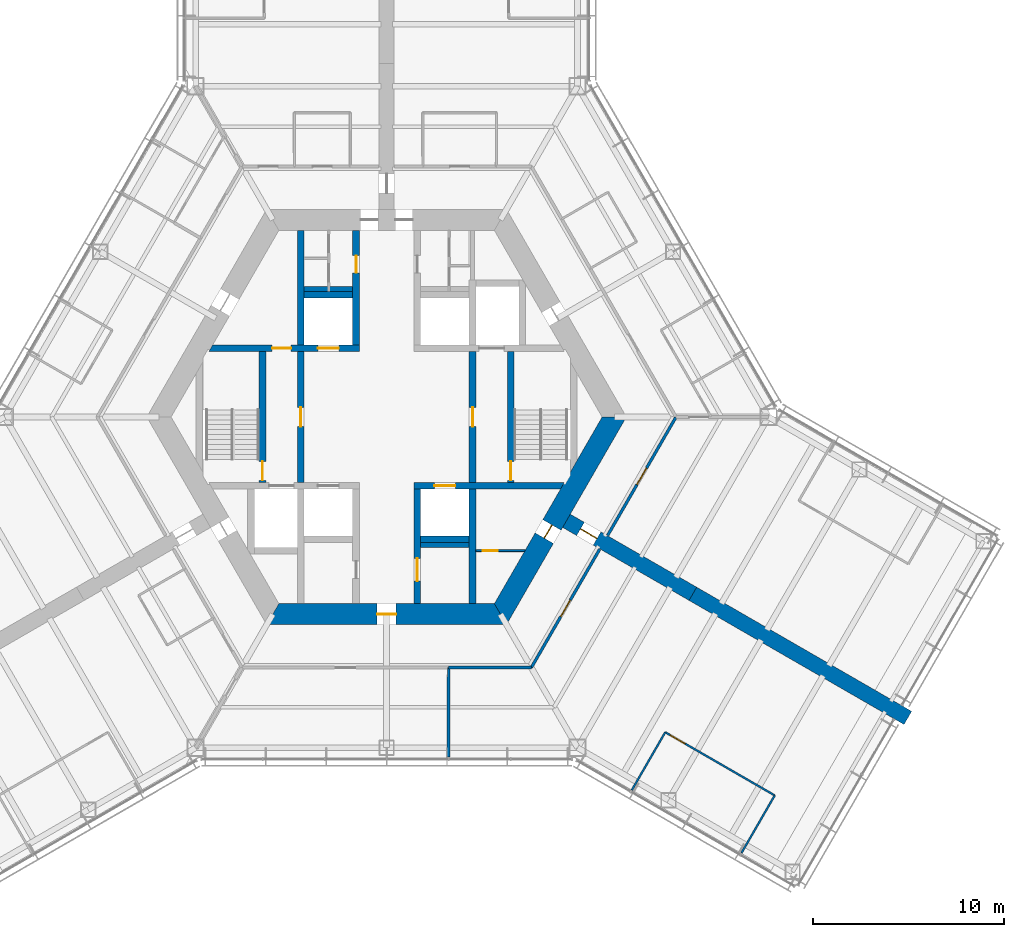
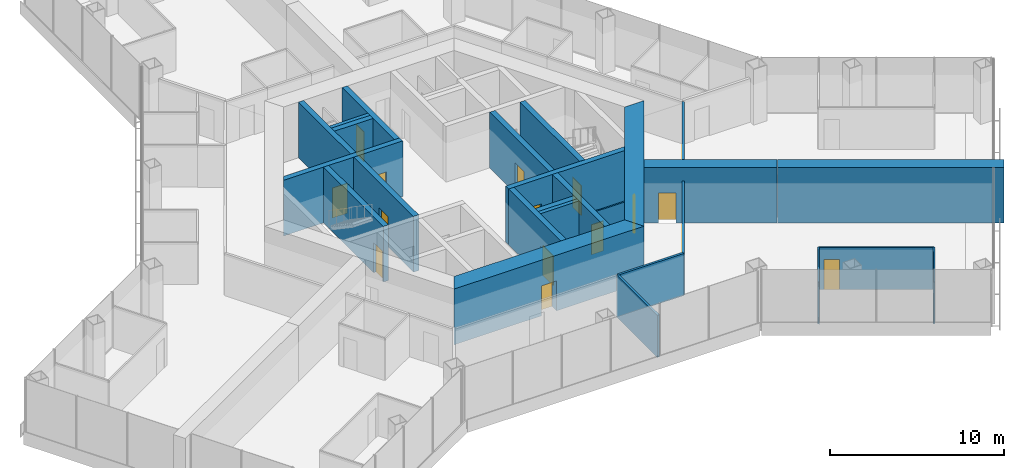
# One storey, part 13 of 18: 26 walls, 16 doors, 16 openings.
"""IFC4 building model written with IfcOpenShell, lengths in metres."""

from ifc_helpers import new_model, si_unit, direction, frame, frame_2d, origin, place, context, subcontext, project, spatial, polyline, rectangle, outline, extrude, material, layer, layer_set, type_object, element, fill, save


model = new_model("IFC4")

# Units and contexts
model_context = context("Model", 3, precision=1e-05, world=origin(), true_north=direction((0.0, 1.0)))
body_context = subcontext(model_context, "Body", "Model", "MODEL_VIEW")
ifc_project = project(units=[si_unit("LENGTHUNIT", "METRE"), si_unit("AREAUNIT", "SQUARE_METRE"), si_unit("VOLUMEUNIT", "CUBIC_METRE"), si_unit("PLANEANGLEUNIT", "RADIAN"), si_unit("MASSUNIT", "GRAM", prefix="KILO")], contexts=[model_context])

# Site, building, storey
site_placement = place(None, origin())
site = spatial("IfcSite", under=ifc_project, at=site_placement, CompositionType="ELEMENT")
building_placement = place(site_placement, origin())
building = spatial("IfcBuilding", under=site, at=building_placement, Name="Kasaneha Research Tower", CompositionType="ELEMENT")
storey_placement = place(building_placement, frame((0.0, 0.0, 61.199951171875)))
storey = spatial("IfcBuildingStorey", under=building, at=storey_placement, Name="L15", CompositionType="ELEMENT", Elevation=61.199951171875)

# Wall, openings, doors
ifc_material_1 = material(Name="Concrete Fc80", Category="concrete")
ifc_layer_1 = layer(ifc_material_1, 0.35009765625)
ifc_layer_set_1 = layer_set([ifc_layer_1], Name="Core internal wall 350 Fc80")
wall_type_1 = type_object("IfcWallType", Name="Core internal wall 350 Fc80", PredefinedType="SHEAR", material=ifc_layer_set_1)
wall_1_placement = place(storey_placement, frame((-9.208740234375, 3.60009765625, 0.0), z_axis=(0.0, 0.0, 1.0), x_axis=(1.0, 0.0, 0.0)))
wall_1 = element("IfcWall", 1, at=wall_1_placement, inside=storey, type_object=wall_type_1, Name="Core wall W1W L15", PredefinedType="SHEAR", context=body_context, shape_type="SweptSolid", body=[
    extrude(outline(polyline([(-0.10107421875, -0.175048828125), (3.208740234375, -0.175048828125), (4.208740234375, -0.175048828125), (5.608642578125, -0.175048828125), (6.708740234375, -0.175048828125), (7.78369140625, -0.175048828125), (7.78369140625, 0.175048828125), (6.708740234375, 0.175048828125), (5.608642578125, 0.175048828125), (4.208740234375, 0.175048828125), (3.208740234375, 0.175048828125), (0.10107421875, 0.175048828125), (-0.10107421875, -0.175048828125)])), origin(), (0.0, 0.0, 1.0), 3.900146484375),
])
opening_1_placement = place(wall_1_placement, frame((3.208740234375, 0.0, 0.0)))
opening_1 = element("IfcOpeningElement", 2, at=opening_1_placement, cuts=wall_1, Name="Opening L15-D12", PredefinedType="OPENING", context=body_context, shape_type="SweptSolid", body=[
    extrude(rectangle(XDim=1.0, YDim=2.10009765625, at=frame_2d((0.5, 1.050048828125))), frame((0.0, 0.18505859375, 0.0), z_axis=(0.0, -1.0, 0.0), x_axis=(1.0, 0.0, 0.0)), (0.0, 0.0, 1.0), 0.3701171875),
])
opening_2_placement = place(wall_1_placement, frame((5.608642578125, 0.0, 0.0)))
opening_2 = element("IfcOpeningElement", 3, at=opening_2_placement, cuts=wall_1, Name="Opening LD-LO1-L15", PredefinedType="OPENING", context=body_context, shape_type="SweptSolid", body=[
    extrude(rectangle(XDim=1.10009765625, YDim=2.10009765625, at=frame_2d((0.550048828125, 1.050048828125))), frame((0.0, 0.18505859375, 0.0), z_axis=(0.0, -1.0, 0.0), x_axis=(1.0, 0.0, 0.0)), (0.0, 0.0, 1.0), 0.3701171875),
])
ifc_material_2 = material(Name="Steel", Category="steel")
door_type_1 = type_object("IfcDoorType", Name="Lift landing door 1100x2100", OperationType="DOUBLE_DOOR_SLIDING", PredefinedType="DOOR", material=ifc_material_2)
door_1_placement = place(opening_2_placement, origin())
door_1 = element("IfcDoor", 4, at=door_1_placement, inside=storey, type_object=door_type_1, Name="Landing door LO1 LD-LO1-L15", OperationType="DOUBLE_DOOR_SLIDING", OverallHeight=2.10009765625, OverallWidth=1.10009765625, PredefinedType="DOOR", context=body_context, shape_type="SweptSolid", body=[
    extrude(rectangle(XDim=1.10009765625, YDim=2.10009765625, at=frame_2d((0.550048828125, 1.050048828125))), frame((0.0, 0.02490234375, 0.0), z_axis=(0.0, -1.0, 0.0), x_axis=(1.0, 0.0, 0.0)), (0.0, 0.0, 1.0), 0.050048828125),
])
fill(opening_2, door_1)
ifc_material_3 = material(Name="Steel", Category="steel")
door_type_2 = type_object("IfcDoorType", Name="Specified fire door FD60 1000x2100", OperationType="NOTDEFINED", PredefinedType="DOOR", material=ifc_material_3)
door_2_placement = place(opening_1_placement, origin())
door_2 = element("IfcDoor", 5, at=door_2_placement, inside=storey, type_object=door_type_2, Name="Vestibule to lobby door L15-D12", OperationType="SINGLE_SWING_RIGHT", OverallHeight=2.10009765625, OverallWidth=1.0, PredefinedType="DOOR", context=body_context, shape_type="SweptSolid", body=[
    extrude(rectangle(XDim=1.0, YDim=2.10009765625, at=frame_2d((0.5, 1.050048828125))), frame((0.0, 0.02490234375, 0.0), z_axis=(0.0, -1.0, 0.0), x_axis=(1.0, 0.0, 0.0)), (0.0, 0.0, 1.0), 0.050048828125),
])
fill(opening_1, door_2)

# Wall, opening, door
wall_2_placement = place(storey_placement, frame((1.425048828125, -3.60009765625, 0.0), z_axis=(0.0, 0.0, 1.0), x_axis=(1.0, 0.0, 0.0)))
wall_2 = element("IfcWall", 6, at=wall_2_placement, inside=storey, type_object=wall_type_1, Name="Core wall W2E L15", PredefinedType="SHEAR", context=body_context, shape_type="SweptSolid", body=[
    extrude(outline(polyline([(0.0, -0.175048828125), (1.074951171875, -0.175048828125), (2.175048828125, -0.175048828125), (7.6826171875, -0.175048828125), (7.884765625, 0.175048828125), (2.175048828125, 0.175048828125), (1.074951171875, 0.175048828125), (0.0, 0.175048828125), (0.0, -0.175048828125)])), origin(), (0.0, 0.0, 1.0), 3.900146484375),
])
opening_3_placement = place(wall_2_placement, frame((1.074951171875, 0.0, 0.0)))
opening_3 = element("IfcOpeningElement", 7, at=opening_3_placement, cuts=wall_2, Name="Opening LD-LO3-L15", PredefinedType="OPENING", context=body_context, shape_type="SweptSolid", body=[
    extrude(rectangle(XDim=1.10009765625, YDim=2.10009765625, at=frame_2d((0.550048828125, 1.050048828125))), frame((0.0, 0.18505859375, 0.0), z_axis=(0.0, -1.0, 0.0), x_axis=(1.0, 0.0, 0.0)), (0.0, 0.0, 1.0), 0.3701171875),
])
door_3_placement = place(opening_3_placement, origin())
door_3 = element("IfcDoor", 8, at=door_3_placement, inside=storey, type_object=door_type_1, Name="Landing door LO3 LD-LO3-L15", OperationType="DOUBLE_DOOR_SLIDING", OverallHeight=2.10009765625, OverallWidth=1.10009765625, PredefinedType="DOOR", context=body_context, shape_type="SweptSolid", body=[
    extrude(rectangle(XDim=1.10009765625, YDim=2.10009765625, at=frame_2d((0.550048828125, 1.050048828125))), frame((0.0, 0.02490234375, 0.0), z_axis=(0.0, -1.0, 0.0), x_axis=(1.0, 0.0, 0.0)), (0.0, 0.0, 1.0), 0.050048828125),
])
fill(opening_3, door_3)

wall_3_placement = place(storey_placement, frame((-1.60009765625, 3.77490234375, 0.0), z_axis=(0.0, 0.0, 1.0), x_axis=(0.0, 1.0, 0.0)))
wall_3 = element("IfcWall", 9, at=wall_3_placement, inside=storey, type_object=wall_type_1, Name="Core wall CNW L15", PredefinedType="SHEAR", context=body_context, shape_type="SweptSolid", body=[
    extrude(rectangle(XDim=6.0, YDim=0.35009765625, at=frame_2d((3.0, 0.0))), origin(), (0.0, 0.0, 1.0), 3.900146484375),
])
opening_4_placement = place(wall_3_placement, frame((3.77490234375, 0.0, 0.0)))
opening_4 = element("IfcOpeningElement", 10, at=opening_4_placement, cuts=wall_3, Name="Opening L15-D13", PredefinedType="OPENING", context=body_context, shape_type="SweptSolid", body=[
    extrude(rectangle(XDim=0.89990234375, YDim=2.10009765625, at=frame_2d((0.449951171875, 1.050048828125))), frame((0.0, 0.18505859375, 0.0), z_axis=(0.0, -1.0, 0.0), x_axis=(1.0, 0.0, 0.0)), (0.0, 0.0, 1.0), 0.3701171875),
])
ifc_material_4 = material(Name="Steel", Category="steel")
door_type_3 = type_object("IfcDoorType", Name="Toilet door FD20 900x2100", OperationType="NOTDEFINED", PredefinedType="DOOR", material=ifc_material_4)
door_4_placement = place(opening_4_placement, origin())
door_4 = element("IfcDoor", 11, at=door_4_placement, inside=storey, type_object=door_type_3, Name="Men's WC door L15-D13", OperationType="SINGLE_SWING_LEFT", OverallHeight=2.10009765625, OverallWidth=0.89990234375, PredefinedType="DOOR", context=body_context, shape_type="SweptSolid", body=[
    extrude(rectangle(XDim=0.89990234375, YDim=2.10009765625, at=frame_2d((0.449951171875, 1.050048828125))), frame((0.0, 0.02490234375, 0.0), z_axis=(0.0, -1.0, 0.0), x_axis=(1.0, 0.0, 0.0)), (0.0, 0.0, 1.0), 0.050048828125),
])
fill(opening_4, door_4)

wall_4_placement = place(storey_placement, frame((1.60009765625, -3.77490234375, 0.0), z_axis=(0.0, 0.0, 1.0), x_axis=(0.0, -1.0, 0.0)))
wall_4 = element("IfcWall", 12, at=wall_4_placement, inside=storey, type_object=wall_type_1, Name="Core wall CSE L15", PredefinedType="SHEAR", context=body_context, shape_type="SweptSolid", body=[
    extrude(rectangle(XDim=6.0, YDim=0.35009765625, at=frame_2d((3.0, 0.0))), origin(), (0.0, 0.0, 1.0), 3.900146484375),
])
opening_5_placement = place(wall_4_placement, frame((3.625, 0.0, 0.0)))
opening_5 = element("IfcOpeningElement", 13, at=opening_5_placement, cuts=wall_4, Name="Opening L15-D15", PredefinedType="OPENING", context=body_context, shape_type="SweptSolid", body=[
    extrude(rectangle(XDim=1.199951171875, YDim=2.10009765625, at=frame_2d((0.60009765625, 1.050048828125))), frame((0.0, 0.18505859375, 0.0), z_axis=(0.0, -1.0, 0.0), x_axis=(1.0, 0.0, 0.0)), (0.0, 0.0, 1.0), 0.3701171875),
])
ifc_material_5 = material(Name="Steel", Category="steel")
door_type_4 = type_object("IfcDoorType", Name="Accessible toilet sliding door FD20 1200x2100", OperationType="SLIDING_TO_LEFT", PredefinedType="DOOR", material=ifc_material_5)
door_5_placement = place(opening_5_placement, origin())
door_5 = element("IfcDoor", 14, at=door_5_placement, inside=storey, type_object=door_type_4, Name="Accessible WC door L15-D15", OperationType="SLIDING_TO_LEFT", OverallHeight=2.10009765625, OverallWidth=1.199951171875, PredefinedType="DOOR", context=body_context, shape_type="SweptSolid", body=[
    extrude(rectangle(XDim=1.199951171875, YDim=2.10009765625, at=frame_2d((0.60009765625, 1.050048828125))), frame((0.0, 0.02490234375, 0.0), z_axis=(0.0, -1.0, 0.0), x_axis=(1.0, 0.0, 0.0)), (0.0, 0.0, 1.0), 0.050048828125),
])
fill(opening_5, door_5)

wall_5_placement = place(storey_placement, frame((-4.5, -3.425048828125, 0.0), z_axis=(0.0, 0.0, 1.0), x_axis=(0.0, 1.0, 0.0)))
wall_5 = element("IfcWall", 15, at=wall_5_placement, inside=storey, type_object=wall_type_1, Name="Core wall LBW L15", PredefinedType="SHEAR", context=body_context, shape_type="SweptSolid", body=[
    extrude(rectangle(XDim=6.85009765625, YDim=0.35009765625, at=frame_2d((3.425048828125, 0.0))), origin(), (0.0, 0.0, 1.0), 3.900146484375),
])
opening_6_placement = place(wall_5_placement, frame((2.925048828125, 0.0, 0.0)))
opening_6 = element("IfcOpeningElement", 16, at=opening_6_placement, cuts=wall_5, Name="Opening L15-D09", PredefinedType="OPENING", context=body_context, shape_type="SweptSolid", body=[
    extrude(rectangle(XDim=1.0, YDim=2.10009765625, at=frame_2d((0.5, 1.050048828125))), frame((0.0, 0.18505859375, 0.0), z_axis=(0.0, -1.0, 0.0), x_axis=(1.0, 0.0, 0.0)), (0.0, 0.0, 1.0), 0.3701171875),
])
door_6_placement = place(opening_6_placement, origin())
door_6 = element("IfcDoor", 17, at=door_6_placement, inside=storey, type_object=door_type_2, Name="Lift lobby door west L15-D09", OperationType="SINGLE_SWING_LEFT", OverallHeight=2.10009765625, OverallWidth=1.0, PredefinedType="DOOR", context=body_context, shape_type="SweptSolid", body=[
    extrude(rectangle(XDim=1.0, YDim=2.10009765625, at=frame_2d((0.5, 1.050048828125))), frame((0.0, 0.02490234375, 0.0), z_axis=(0.0, -1.0, 0.0), x_axis=(1.0, 0.0, 0.0)), (0.0, 0.0, 1.0), 0.050048828125),
])
fill(opening_6, door_6)

wall_6_placement = place(storey_placement, frame((4.5, -3.425048828125, 0.0), z_axis=(0.0, 0.0, 1.0), x_axis=(0.0, 1.0, 0.0)))
wall_6 = element("IfcWall", 18, at=wall_6_placement, inside=storey, type_object=wall_type_1, Name="Core wall LBE L15", PredefinedType="SHEAR", context=body_context, shape_type="SweptSolid", body=[
    extrude(rectangle(XDim=6.85009765625, YDim=0.35009765625, at=frame_2d((3.425048828125, 0.0))), origin(), (0.0, 0.0, 1.0), 3.900146484375),
])
opening_7_placement = place(wall_6_placement, frame((2.925048828125, 0.0, 0.0)))
opening_7 = element("IfcOpeningElement", 19, at=opening_7_placement, cuts=wall_6, Name="Opening L15-D08", PredefinedType="OPENING", context=body_context, shape_type="SweptSolid", body=[
    extrude(rectangle(XDim=1.0, YDim=2.10009765625, at=frame_2d((0.5, 1.050048828125))), frame((0.0, 0.18505859375, 0.0), z_axis=(0.0, -1.0, 0.0), x_axis=(1.0, 0.0, 0.0)), (0.0, 0.0, 1.0), 0.3701171875),
])
door_7_placement = place(opening_7_placement, origin())
door_7 = element("IfcDoor", 20, at=door_7_placement, inside=storey, type_object=door_type_2, Name="Lift lobby door east L15-D08", OperationType="SINGLE_SWING_LEFT", OverallHeight=2.10009765625, OverallWidth=1.0, PredefinedType="DOOR", context=body_context, shape_type="SweptSolid", body=[
    extrude(rectangle(XDim=1.0, YDim=2.10009765625, at=frame_2d((0.5, 1.050048828125))), frame((0.0, 0.02490234375, 0.0), z_axis=(0.0, -1.0, 0.0), x_axis=(1.0, 0.0, 0.0)), (0.0, 0.0, 1.0), 0.050048828125),
])
fill(opening_7, door_7)

wall_7_placement = place(storey_placement, frame((-6.5, -3.425048828125, 0.0), z_axis=(0.0, 0.0, 1.0), x_axis=(0.0, 1.0, 0.0)))
wall_7 = element("IfcWall", 21, at=wall_7_placement, inside=storey, type_object=wall_type_1, Name="Core wall ANW L15", PredefinedType="SHEAR", context=body_context, shape_type="SweptSolid", body=[
    extrude(rectangle(XDim=6.85009765625, YDim=0.35009765625, at=frame_2d((3.425048828125, 0.0))), origin(), (0.0, 0.0, 1.0), 3.900146484375),
])
opening_8_placement = place(wall_7_placement, frame((0.10009765625, 0.0, 0.0)))
opening_8 = element("IfcOpeningElement", 22, at=opening_8_placement, cuts=wall_7, Name="Opening L15-D11", PredefinedType="OPENING", context=body_context, shape_type="SweptSolid", body=[
    extrude(rectangle(XDim=1.0, YDim=2.10009765625, at=frame_2d((0.5, 1.050048828125))), frame((0.0, 0.18505859375, 0.0), z_axis=(0.0, -1.0, 0.0), x_axis=(1.0, 0.0, 0.0)), (0.0, 0.0, 1.0), 0.3701171875),
])
door_8_placement = place(opening_8_placement, origin())
door_8 = element("IfcDoor", 23, at=door_8_placement, inside=storey, type_object=door_type_2, Name="Stair 2 door L15-D11", OperationType="SINGLE_SWING_LEFT", OverallHeight=2.10009765625, OverallWidth=1.0, PredefinedType="DOOR", context=body_context, shape_type="SweptSolid", body=[
    extrude(rectangle(XDim=1.0, YDim=2.10009765625, at=frame_2d((0.5, 1.050048828125))), frame((0.0, 0.02490234375, 0.0), z_axis=(0.0, -1.0, 0.0), x_axis=(1.0, 0.0, 0.0)), (0.0, 0.0, 1.0), 0.050048828125),
])
fill(opening_8, door_8)

wall_8_placement = place(storey_placement, frame((6.5, -3.425048828125, 0.0), z_axis=(0.0, 0.0, 1.0), x_axis=(0.0, 1.0, 0.0)))
wall_8 = element("IfcWall", 24, at=wall_8_placement, inside=storey, type_object=wall_type_1, Name="Core wall ANE L15", PredefinedType="SHEAR", context=body_context, shape_type="SweptSolid", body=[
    extrude(rectangle(XDim=6.85009765625, YDim=0.35009765625, at=frame_2d((3.425048828125, 0.0))), origin(), (0.0, 0.0, 1.0), 3.900146484375),
])
opening_9_placement = place(wall_8_placement, frame((0.10009765625, 0.0, 0.0)))
opening_9 = element("IfcOpeningElement", 25, at=opening_9_placement, cuts=wall_8, Name="Opening L15-D10", PredefinedType="OPENING", context=body_context, shape_type="SweptSolid", body=[
    extrude(rectangle(XDim=1.0, YDim=2.10009765625, at=frame_2d((0.5, 1.050048828125))), frame((0.0, 0.18505859375, 0.0), z_axis=(0.0, -1.0, 0.0), x_axis=(1.0, 0.0, 0.0)), (0.0, 0.0, 1.0), 0.3701171875),
])
door_9_placement = place(opening_9_placement, origin())
door_9 = element("IfcDoor", 26, at=door_9_placement, inside=storey, type_object=door_type_2, Name="Stair 1 door L15-D10", OperationType="SINGLE_SWING_LEFT", OverallHeight=2.10009765625, OverallWidth=1.0, PredefinedType="DOOR", context=body_context, shape_type="SweptSolid", body=[
    extrude(rectangle(XDim=1.0, YDim=2.10009765625, at=frame_2d((0.5, 1.050048828125))), frame((0.0, 0.02490234375, 0.0), z_axis=(0.0, -1.0, 0.0), x_axis=(1.0, 0.0, 0.0)), (0.0, 0.0, 1.0), 0.050048828125),
])
fill(opening_9, door_9)

# Walls
for number, where, z_axis, x_axis, name in (
    (27, (-4.5, 3.77490234375, 0.0), (0.0, 0.0, 1.0), (0.0, 1.0, 0.0), "Core wall VNW L15"),
    (28, (4.5, -3.77490234375, 0.0), (0.0, 0.0, 1.0), (0.0, -1.0, 0.0), "Core wall SSE L15"),
):
    element("IfcWall", number, at=place(storey_placement, frame(where, z_axis=z_axis, x_axis=x_axis)), inside=storey, type_object=wall_type_1, Name=name, PredefinedType="SHEAR", context=body_context, shape_type="SweptSolid", body=[
        extrude(rectangle(XDim=6.0, YDim=0.35009765625, at=frame_2d((3.0, 0.0))), origin(), (0.0, 0.0, 1.0), 3.900146484375),
    ])
for number, where, z_axis, x_axis, name in (
    (29, (-4.324951171875, 6.39990234375, 0.0), (0.0, 0.0, 1.0), (1.0, 0.0, 0.0), "Core wall N1N L15"),
    (30, (1.77490234375, -6.39990234375, 0.0), (0.0, 0.0, 1.0), (1.0, 0.0, 0.0), "Core wall S3S L15"),
):
    element("IfcWall", number, at=place(storey_placement, frame(where, z_axis=z_axis, x_axis=x_axis)), inside=storey, type_object=wall_type_1, Name=name, PredefinedType="SHEAR", context=body_context, shape_type="SweptSolid", body=[
        extrude(rectangle(XDim=2.550048828125, YDim=0.35009765625, at=frame_2d((1.27490234375, 0.0))), origin(), (0.0, 0.0, 1.0), 3.900146484375),
    ])

# Wall, opening, door
ifc_material_6 = material(Name="Concrete Fc80", Category="concrete")
ifc_layer_2 = layer(ifc_material_6, 1.10009765625)
ifc_layer_set_2 = layer_set([ifc_layer_2], Name="Core wall 1100 Fc80")
wall_type_2 = type_object("IfcWallType", Name="Core wall 1100 Fc80", PredefinedType="SHEAR", material=ifc_layer_set_2)
wall_9_placement = place(storey_placement, frame((-5.961181640625, -10.324951171875, 0.0), z_axis=(0.0, 0.0, 1.0), x_axis=(1.0, 0.0, 0.0)))
wall_9 = element("IfcWall", 31, at=wall_9_placement, inside=storey, type_object=wall_type_2, Name="Core wall 270 L15", PredefinedType="SHEAR", context=body_context, shape_type="SweptSolid", body=[
    extrude(outline(polyline([(-0.317626953125, -0.550048828125), (5.461181640625, -0.550048828125), (6.461181640625, -0.550048828125), (12.239990234375, -0.550048828125), (11.604736328125, 0.550048828125), (6.461181640625, 0.550048828125), (5.461181640625, 0.550048828125), (0.317626953125, 0.550048828125), (-0.317626953125, -0.550048828125)])), origin(), (0.0, 0.0, 1.0), 3.900146484375),
])
opening_10_placement = place(wall_9_placement, frame((5.461181640625, 0.0, 0.0)))
opening_10 = element("IfcOpeningElement", 32, at=opening_10_placement, cuts=wall_9, Name="Opening L15-D03", PredefinedType="OPENING", context=body_context, shape_type="SweptSolid", body=[
    extrude(rectangle(XDim=1.0, YDim=2.10009765625, at=frame_2d((0.5, 1.050048828125))), frame((0.0, 0.56005859375, 0.0), z_axis=(0.0, -1.0, 0.0), x_axis=(1.0, 0.0, 0.0)), (0.0, 0.0, 1.0), 1.1201171875),
])
ifc_material_7 = material(Name="Steel", Category="steel")
door_type_5 = type_object("IfcDoorType", Name="Fire door FD20 1000x2100", OperationType="NOTDEFINED", PredefinedType="DOOR", material=ifc_material_7)
door_10_placement = place(opening_10_placement, origin())
door_10 = element("IfcDoor", 33, at=door_10_placement, inside=storey, type_object=door_type_5, Name="Core door south L15-D03", OperationType="SINGLE_SWING_LEFT", OverallHeight=2.10009765625, OverallWidth=1.0, PredefinedType="DOOR", context=body_context, shape_type="SweptSolid", body=[
    extrude(rectangle(XDim=1.0, YDim=2.10009765625, at=frame_2d((0.5, 1.050048828125))), frame((0.0, 0.02490234375, 0.0), z_axis=(0.0, -1.0, 0.0), x_axis=(1.0, 0.0, 0.0)), (0.0, 0.0, 1.0), 0.050048828125),
])
fill(opening_10, door_10)

wall_10_placement = place(storey_placement, frame((5.961181640625, -10.324951171875, 0.0), z_axis=(0.0, 0.0, 1.0), x_axis=(0.500004296715, 0.866022923061, 0.0)))
wall_10 = element("IfcWall", 34, at=wall_10_placement, inside=storey, type_object=wall_type_2, Name="Core wall 330 L15", PredefinedType="SHEAR", context=body_context, shape_type="SweptSolid", body=[
    extrude(outline(polyline([(-0.317626953125, -0.550048828125), (4.593994140625, -0.550048828125), (5.39404296875, -0.550048828125), (12.239990234375, -0.550048828125), (11.604736328125, 0.550048828125), (5.39404296875, 0.550048828125), (4.593994140625, 0.550048828125), (0.317626953125, 0.550048828125), (-0.317626953125, -0.550048828125)])), origin(), (0.0, 0.0, 1.0), 3.900146484375),
])
opening_11_placement = place(wall_10_placement, frame((4.593994140625, 0.0, 0.0)))
opening_11 = element("IfcOpeningElement", 35, at=opening_11_placement, cuts=wall_10, Name="Opening L15-D05", PredefinedType="OPENING", context=body_context, shape_type="SweptSolid", body=[
    extrude(rectangle(XDim=0.800048828125, YDim=2.10009765625, at=frame_2d((0.39990234375, 1.050048828125))), frame((0.0, 0.56005859375, 0.0), z_axis=(0.0, -1.0, 0.0), x_axis=(1.0, 0.0, 0.0)), (0.0, 0.0, 1.0), 1.1201171875),
])
ifc_material_8 = material(Name="Steel", Category="steel")
door_type_6 = type_object("IfcDoorType", Name="Riser access door FD60 800x2100", OperationType="NOTDEFINED", PredefinedType="DOOR", material=ifc_material_8)
door_11_placement = place(opening_11_placement, origin())
door_11 = element("IfcDoor", 36, at=door_11_placement, inside=storey, type_object=door_type_6, Name="Pipe riser door L15-D05", OperationType="SINGLE_SWING_LEFT", OverallHeight=2.10009765625, OverallWidth=0.800048828125, PredefinedType="DOOR", context=body_context, shape_type="SweptSolid", body=[
    extrude(rectangle(XDim=0.800048828125, YDim=2.10009765625, at=frame_2d((0.39990234375, 1.050048828125))), frame((0.0, 0.02490234375, 0.0), z_axis=(0.0, -1.0, 0.0), x_axis=(1.0, 0.0, 0.0)), (0.0, 0.0, 1.0), 0.050048828125),
])
fill(opening_11, door_11)

ifc_material_9 = material(Name="Gypsum board on steel studs, one layer each side", Category="steel")
ifc_layer_3 = layer(ifc_material_9, 0.10009765625)
ifc_layer_set_3 = layer_set([ifc_layer_3], Name="Office partition 100")
wall_type_3 = type_object("IfcWallType", Name="Office partition 100", PredefinedType="PARTITIONING", material=ifc_layer_set_3)
wall_11_placement = place(storey_placement, frame((4.675048828125, -7.0, 0.0), z_axis=(0.0, 0.0, 1.0), x_axis=(1.0, 0.0, 0.0)))
wall_11 = element("IfcWall", 37, at=wall_11_placement, inside=storey, type_object=wall_type_3, Name="Office partition RS-SE L15", PredefinedType="PARTITIONING", context=body_context, shape_type="SweptSolid", body=[
    extrude(outline(polyline([(0.0, -0.050048828125), (0.35009765625, -0.050048828125), (1.150146484375, -0.050048828125), (2.5419921875, -0.050048828125), (2.57080078125, 0.0), (2.57666015625, 0.050048828125), (1.150146484375, 0.050048828125), (0.35009765625, 0.050048828125), (0.0, 0.050048828125), (0.0, -0.050048828125)])), origin(), (0.0, 0.0, 1.0), 2.949951171875),
])
opening_12_placement = place(wall_11_placement, frame((0.35009765625, 0.0, 0.0)))
opening_12 = element("IfcOpeningElement", 38, at=opening_12_placement, cuts=wall_11, Name="Opening L15-D24", PredefinedType="OPENING", context=body_context, shape_type="SweptSolid", body=[
    extrude(rectangle(XDim=0.800048828125, YDim=2.10009765625, at=frame_2d((0.39990234375, 1.050048828125))), frame((0.0, 0.06005859375, 0.0), z_axis=(0.0, -1.0, 0.0), x_axis=(1.0, 0.0, 0.0)), (0.0, 0.0, 1.0), 0.1201171875),
])
door_12_placement = place(opening_12_placement, origin())
door_12 = element("IfcDoor", 39, at=door_12_placement, inside=storey, type_object=door_type_6, Name="Drainage riser door L15-D24", OperationType="SINGLE_SWING_LEFT", OverallHeight=2.10009765625, OverallWidth=0.800048828125, PredefinedType="DOOR", context=body_context, shape_type="SweptSolid", body=[
    extrude(rectangle(XDim=0.800048828125, YDim=2.10009765625, at=frame_2d((0.39990234375, 1.050048828125))), frame((0.0, 0.02490234375, 0.0), z_axis=(0.0, -1.0, 0.0), x_axis=(1.0, 0.0, 0.0)), (0.0, 0.0, 1.0), 0.050048828125),
])
fill(opening_12, door_12)

# Wall
wall_12_placement = place(storey_placement, frame((12.84228515625, -19.538818359375, 0.0), z_axis=(0.0, 0.0, 1.0), x_axis=(0.500010275428, 0.866019471182, 0.0)))
element("IfcWall", 40, at=wall_12_placement, inside=storey, type_object=wall_type_3, Name="Office partition FCS04 L15", PredefinedType="PARTITIONING", context=body_context, shape_type="SweptSolid", body=[
    extrude(rectangle(XDim=3.5, YDim=0.10009765625, at=frame_2d((1.75, 0.0))), origin(), (0.0, 0.0, 1.0), 2.949951171875),
])

# Wall, opening, door
wall_13_placement = place(storey_placement, frame((14.59228515625, -16.5078125, 0.0), z_axis=(0.0, 0.0, 1.0), x_axis=(0.866037567856, -0.499978930619, 0.0)))
wall_13 = element("IfcWall", 41, at=wall_13_placement, inside=storey, type_object=wall_type_3, Name="Office partition FCS05 L15", PredefinedType="PARTITIONING", context=body_context, shape_type="SweptSolid", body=[
    extrude(rectangle(XDim=6.619384765625, YDim=0.10009765625, at=frame_2d((3.3095703125, 0.0))), origin(), (0.0, 0.0, 1.0), 2.949951171875),
])
opening_13_placement = place(wall_13_placement, frame((0.300048828125, 0.0, 0.0)))
opening_13 = element("IfcOpeningElement", 42, at=opening_13_placement, cuts=wall_13, Name="Opening L15-D52", PredefinedType="OPENING", context=body_context, shape_type="SweptSolid", body=[
    extrude(rectangle(XDim=0.89990234375, YDim=2.10009765625, at=frame_2d((0.449951171875, 1.050048828125))), frame((0.0, 0.06005859375, 0.0), z_axis=(0.0, -1.0, 0.0), x_axis=(1.0, 0.0, 0.0)), (0.0, 0.0, 1.0), 0.1201171875),
])
ifc_material_10 = material(Name="Timber veneer", Category="wood")
door_type_7 = type_object("IfcDoorType", Name="Office door 900x2100", OperationType="SINGLE_SWING_LEFT", PredefinedType="DOOR", material=ifc_material_10)
door_13_placement = place(opening_13_placement, origin())
door_13 = element("IfcDoor", 43, at=door_13_placement, inside=storey, type_object=door_type_7, Name="Meeting room door L15-D52", OperationType="SINGLE_SWING_LEFT", OverallHeight=2.10009765625, OverallWidth=0.89990234375, PredefinedType="DOOR", context=body_context, shape_type="SweptSolid", body=[
    extrude(rectangle(XDim=0.89990234375, YDim=2.10009765625, at=frame_2d((0.449951171875, 1.050048828125))), frame((0.0, 0.02490234375, 0.0), z_axis=(0.0, -1.0, 0.0), x_axis=(1.0, 0.0, 0.0)), (0.0, 0.0, 1.0), 0.050048828125),
])
fill(opening_13, door_13)

# Wall
wall_14_placement = place(storey_placement, frame((20.324951171875, -19.8173828125, 0.0), z_axis=(0.0, 0.0, 1.0), x_axis=(-0.499979528911, -0.866037222451, 0.0)))
element("IfcWall", 44, at=wall_14_placement, inside=storey, type_object=wall_type_3, Name="Office partition FCS06 L15", PredefinedType="PARTITIONING", context=body_context, shape_type="SweptSolid", body=[
    extrude(rectangle(XDim=3.480224609375, YDim=0.10009765625, at=frame_2d((1.740234375, 0.0))), origin(), (0.0, 0.0, 1.0), 2.949951171875),
])

# Wall, opening, door
ifc_material_11 = material(Name="Concrete Fc80", Category="concrete")
ifc_layer_4 = layer(ifc_material_11, 0.800048828125)
ifc_layer_set_4 = layer_set([ifc_layer_4], Name="Spine wall 800 Fc80")
wall_type_4 = type_object("IfcWallType", Name="Spine wall 800 Fc80", PredefinedType="SHEAR", material=ifc_layer_set_4)
wall_15_placement = place(storey_placement, frame((9.41796875, -5.4375, 0.0), z_axis=(0.0, 0.0, 1.0), x_axis=(0.866029782078, -0.499992416496, 0.0)))
wall_15 = element("IfcWall", 45, at=wall_15_placement, inside=storey, type_object=wall_type_4, Name="Spine wall C L15", PredefinedType="SHEAR", context=body_context, shape_type="SweptSolid", body=[
    extrude(rectangle(XDim=7.6455078125, YDim=0.800048828125, at=frame_2d((3.82275390625, 0.0))), origin(), (0.0, 0.0, 1.0), 3.900146484375),
])
opening_14_placement = place(wall_15_placement, frame((0.85009765625, 0.0, 0.0)))
opening_14 = element("IfcOpeningElement", 46, at=opening_14_placement, cuts=wall_15, Name="Opening L15-D19", PredefinedType="OPENING", context=body_context, shape_type="SweptSolid", body=[
    extrude(rectangle(XDim=1.0, YDim=2.10009765625, at=frame_2d((0.5, 1.050048828125))), frame((0.0, 0.41015625, 0.0), z_axis=(0.0, -1.0, 0.0), x_axis=(1.0, 0.0, 0.0)), (0.0, 0.0, 1.0), 0.820068359375),
])
door_14_placement = place(opening_14_placement, origin())
door_14 = element("IfcDoor", 47, at=door_14_placement, inside=storey, type_object=door_type_2, Name="Spine doorway C L15-D19", OperationType="SINGLE_SWING_LEFT", OverallHeight=2.10009765625, OverallWidth=1.0, PredefinedType="DOOR", context=body_context, shape_type="SweptSolid", body=[
    extrude(rectangle(XDim=1.0, YDim=2.10009765625, at=frame_2d((0.5, 1.050048828125))), frame((0.0, 0.02490234375, 0.0), z_axis=(0.0, -1.0, 0.0), x_axis=(1.0, 0.0, 0.0)), (0.0, 0.0, 1.0), 0.050048828125),
])
fill(opening_14, door_14)

# Wall
wall_16_placement = place(storey_placement, frame((16.039306640625, -9.26025390625, 0.0), z_axis=(0.0, 0.0, 1.0), x_axis=(0.866024837091, -0.50000098154, 0.0)))
element("IfcWall", 48, at=wall_16_placement, inside=storey, type_object=wall_type_4, Name="Spine wall C wing L15", PredefinedType="SHEAR", context=body_context, shape_type="SweptSolid", body=[
    extrude(rectangle(XDim=13.0, YDim=0.800048828125, at=frame_2d((6.5, 0.0))), origin(), (0.0, 0.0, 1.0), 3.900146484375),
])

# Wall, opening, door
ifc_material_12 = material(Name="Gypsum board on steel studs, two layers each side", Category="steel")
ifc_layer_5 = layer(ifc_material_12, 0.14990234375)
ifc_layer_set_5 = layer_set([ifc_layer_5], Name="Suite partition 150")
wall_type_5 = type_object("IfcWallType", Name="Suite partition 150", PredefinedType="PARTITIONING", material=ifc_layer_set_5)
wall_17_placement = place(storey_placement, frame((15.143798828125, -0.02001953125, 0.0), z_axis=(0.0, 0.0, 1.0), x_axis=(-0.499985098601, -0.86603400694, 0.0)))
wall_17 = element("IfcWall", 49, at=wall_17_placement, inside=storey, type_object=wall_type_5, Name="Suite partition FCE01 L15", PredefinedType="PARTITIONING", context=body_context, shape_type="SweptSolid", body=[
    extrude(rectangle(XDim=7.134521484375, YDim=0.14990234375, at=frame_2d((3.5673828125, 0.0))), origin(), (0.0, 0.0, 1.0), 2.949951171875),
])
opening_15_placement = place(wall_17_placement, frame((3.0673828125, 0.0, 0.0)))
opening_15 = element("IfcOpeningElement", 50, at=opening_15_placement, cuts=wall_17, Name="Opening L15-D48", PredefinedType="OPENING", context=body_context, shape_type="SweptSolid", body=[
    extrude(rectangle(XDim=1.0, YDim=2.10009765625, at=frame_2d((0.5, 1.050048828125))), frame((0.0, 0.0849609375, 0.0), z_axis=(0.0, -1.0, 0.0), x_axis=(1.0, 0.0, 0.0)), (0.0, 0.0, 1.0), 0.169921875),
])
ifc_material_13 = material(Name="Steel", Category="steel")
door_type_8 = type_object("IfcDoorType", Name="Suite entrance door FD60 1000x2100", OperationType="NOTDEFINED", PredefinedType="DOOR", material=ifc_material_13)
door_15_placement = place(opening_15_placement, origin())
door_15 = element("IfcDoor", 51, at=door_15_placement, inside=storey, type_object=door_type_8, Name="Suite entrance door L15-D48", OperationType="SINGLE_SWING_LEFT", OverallHeight=2.10009765625, OverallWidth=1.0, PredefinedType="DOOR", context=body_context, shape_type="SweptSolid", body=[
    extrude(rectangle(XDim=1.0, YDim=2.10009765625, at=frame_2d((0.5, 1.050048828125))), frame((0.0, 0.02490234375, 0.0), z_axis=(0.0, -1.0, 0.0), x_axis=(1.0, 0.0, 0.0)), (0.0, 0.0, 1.0), 0.050048828125),
])
fill(opening_15, door_15)

# Wall
wall_18_placement = place(storey_placement, frame((7.57763671875, -13.125, 0.0), z_axis=(0.0, 0.0, 1.0), x_axis=(-1.0, 0.0, 0.0)))
element("IfcWall", 52, at=wall_18_placement, inside=storey, type_object=wall_type_5, Name="Suite partition FCS01 L15", PredefinedType="PARTITIONING", context=body_context, shape_type="SweptSolid", body=[
    extrude(rectangle(XDim=4.336181640625, YDim=0.14990234375, at=frame_2d((2.16796875, 0.0))), origin(), (0.0, 0.0, 1.0), 2.949951171875),
])

# Wall, opening, door
wall_19_placement = place(storey_placement, frame((11.156494140625, -6.92626953125, 0.0), z_axis=(0.0, 0.0, 1.0), x_axis=(-0.500001961223, -0.866024271469, 0.0)))
wall_19 = element("IfcWall", 53, at=wall_19_placement, inside=storey, type_object=wall_type_5, Name="Suite partition FCS02 L15", PredefinedType="PARTITIONING", context=body_context, shape_type="SweptSolid", body=[
    extrude(rectangle(XDim=7.15771484375, YDim=0.14990234375, at=frame_2d((3.578857421875, 0.0))), origin(), (0.0, 0.0, 1.0), 2.949951171875),
])
opening_16_placement = place(wall_19_placement, frame((3.078857421875, 0.0, 0.0)))
opening_16 = element("IfcOpeningElement", 54, at=opening_16_placement, cuts=wall_19, Name="Opening L15-D50", PredefinedType="OPENING", context=body_context, shape_type="SweptSolid", body=[
    extrude(rectangle(XDim=1.0, YDim=2.10009765625, at=frame_2d((0.5, 1.050048828125))), frame((0.0, 0.0849609375, 0.0), z_axis=(0.0, -1.0, 0.0), x_axis=(1.0, 0.0, 0.0)), (0.0, 0.0, 1.0), 0.169921875),
])
door_16_placement = place(opening_16_placement, origin())
door_16 = element("IfcDoor", 55, at=door_16_placement, inside=storey, type_object=door_type_8, Name="Suite entrance door L15-D50", OperationType="SINGLE_SWING_RIGHT", OverallHeight=2.10009765625, OverallWidth=1.0, PredefinedType="DOOR", context=body_context, shape_type="SweptSolid", body=[
    extrude(rectangle(XDim=1.0, YDim=2.10009765625, at=frame_2d((0.5, 1.050048828125))), frame((0.0, 0.02490234375, 0.0), z_axis=(0.0, -1.0, 0.0), x_axis=(1.0, 0.0, 0.0)), (0.0, 0.0, 1.0), 0.050048828125),
])
fill(opening_16, door_16)

# Walls
wall_20_placement = place(storey_placement, frame((3.246337890625, -17.800537109375, 0.0), z_axis=(0.0, 0.0, 1.0), x_axis=(0.001096662352, 0.999999398666, 0.0)))
element("IfcWall", 56, at=wall_20_placement, inside=storey, type_object=wall_type_5, Name="Suite partition FCS07 L15", PredefinedType="PARTITIONING", context=body_context, shape_type="SweptSolid", body=[
    extrude(rectangle(XDim=4.675048828125, YDim=0.14990234375, at=frame_2d((2.33740234375, 0.0))), origin(), (0.0, 0.0, 1.0), 2.949951171875),
])
ifc_material_14 = material(Name="Concrete block lining", Category="concrete")
ifc_layer_6 = layer(ifc_material_14, 0.25)
ifc_layer_set_6 = layer_set([ifc_layer_6], Name="WC plumbing wall 250")
wall_type_6 = type_object("IfcWallType", Name="WC plumbing wall 250", PredefinedType="PLUMBINGWALL", material=ifc_layer_set_6)
for number, where, z_axis, x_axis, name in (
    (57, (-4.324951171875, 6.699951171875, 0.0), (0.0, 0.0, 1.0), (1.0, 0.0, 0.0), "WC plumbing wall M L15"),
    (58, (1.77490234375, -6.699951171875, 0.0), (0.0, 0.0, 1.0), (1.0, 0.0, 0.0), "WC plumbing wall A L15"),
):
    element("IfcWall", number, at=place(storey_placement, frame(where, z_axis=z_axis, x_axis=x_axis)), inside=storey, type_object=wall_type_6, Name=name, PredefinedType="PLUMBINGWALL", context=body_context, shape_type="SweptSolid", body=[
        extrude(rectangle(XDim=2.550048828125, YDim=0.25, at=frame_2d((1.27490234375, 0.0))), origin(), (0.0, 0.0, 1.0), 3.900146484375),
    ])

save(model, "model.ifc")
